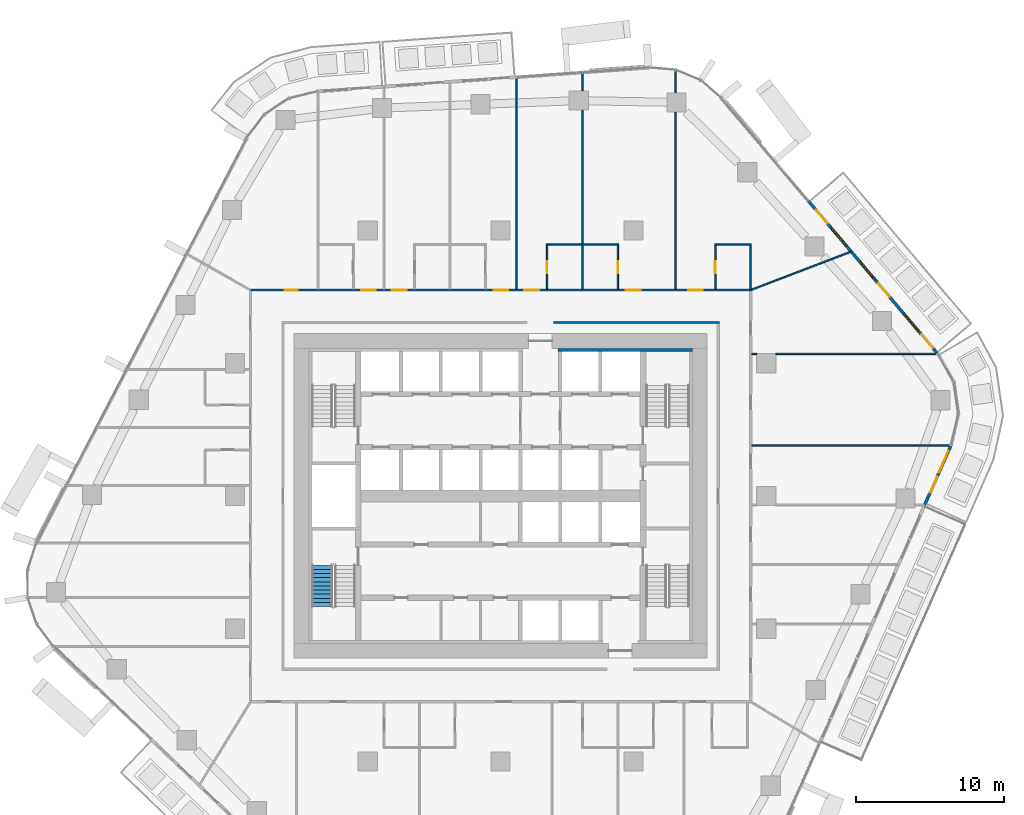
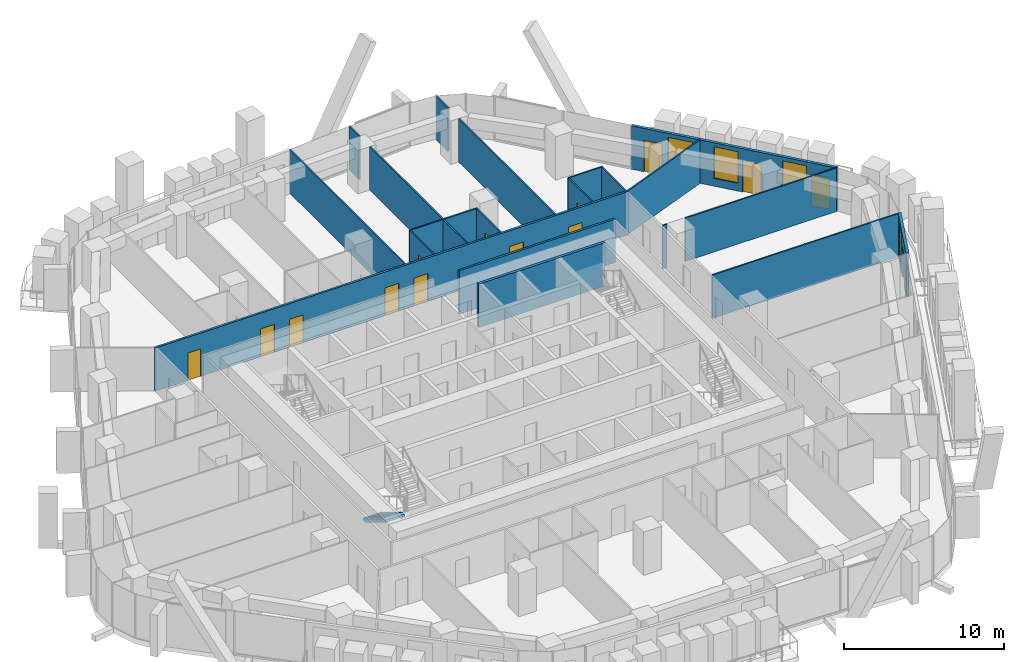
# One storey, part 17 of 24: 21 walls, 14 doors, 4 windows, 1 stair flight, 18 openings, 1 element without a shape of its own.
"""IFC4 building model written with IfcOpenShell, lengths in metres."""

from ifc_helpers import new_model, si_unit, direction, frame, frame_2d, origin, place, context, subcontext, project, spatial, polyline, rectangle, outline, extrude, material, layer, layer_set, type_object, element, fill, aggregate, save


model = new_model("IFC4")

# Units and contexts
model_context = context("Model", 3, precision=1e-05, world=origin(), true_north=direction((0.0, 1.0)))
body_context = subcontext(model_context, "Body", "Model", "MODEL_VIEW")
ifc_project = project(units=[si_unit("LENGTHUNIT", "METRE"), si_unit("AREAUNIT", "SQUARE_METRE"), si_unit("VOLUMEUNIT", "CUBIC_METRE"), si_unit("PLANEANGLEUNIT", "RADIAN"), si_unit("MASSUNIT", "GRAM", prefix="KILO")], contexts=[model_context])

# Site, building, storey
site_placement = place(None, origin())
site = spatial("IfcSite", under=ifc_project, at=site_placement, CompositionType="ELEMENT")
building_placement = place(site_placement, origin())
building = spatial("IfcBuilding", under=site, at=building_placement, Name="Dongbaek Canopy Tower", CompositionType="ELEMENT")
storey_placement = place(building_placement, frame((0.0, 0.0, 113.699951171875)))
storey = spatial("IfcBuildingStorey", under=building, at=storey_placement, Name="L24", CompositionType="ELEMENT", Elevation=113.699951171875)

# Walls
ifc_material_1 = material(Name="Concrete C60/75", Category="concrete")
ifc_layer_1 = layer(ifc_material_1, 0.199951171875)
ifc_layer_set_1 = layer_set([ifc_layer_1], Name="Core wall lining 200 Concrete C60/75")
wall_type_1 = type_object("IfcWallType", Name="Core wall lining 200 Concrete C60/75", PredefinedType="SHEAR", material=ifc_layer_set_1)
wall_1_placement = place(storey_placement, frame((3.89990234375, 9.89990234375, 0.0), z_axis=(0.0, 0.0, 1.0), x_axis=(1.0, 0.0, 0.0)))
element("IfcWall", 1, at=wall_1_placement, inside=storey, type_object=wall_type_1, Name="Core wall lining", PredefinedType="SHEAR", context=body_context, shape_type="SweptSolid", body=[
    extrude(rectangle(XDim=9.10009765625, YDim=0.199951171875, at=frame_2d((4.550048828125, 0.0))), origin(), (0.0, 0.0, 1.0), 3.300048828125),
])
ifc_material_2 = material(Name="Gypsum board partition, steel stud, 2 x 15 mm fire board", Category="steel")
ifc_layer_2 = layer(ifc_material_2, 0.14990234375)
ifc_layer_set_2 = layer_set([ifc_layer_2], Name="Fire-rated partition 150 gypsum board")
wall_type_2 = type_object("IfcWallType", Name="Fire-rated partition 150 gypsum board", PredefinedType="PARTITIONING", material=ifc_layer_set_2)
wall_2_placement = place(storey_placement, frame((3.60009765625, 11.75, 0.0), z_axis=(0.0, 0.0, 1.0), x_axis=(1.0, 0.0, 0.0)))
element("IfcWall", 2, at=wall_2_placement, inside=storey, type_object=wall_type_2, Name="Corridor partition", PredefinedType="PARTITIONING", context=body_context, shape_type="SweptSolid", body=[
    extrude(rectangle(XDim=11.224853515625, YDim=0.14990234375, at=frame_2d((5.6123046875, 0.0))), origin(), (0.0, 0.0, 1.0), 3.300048828125),
])

# Wall, openings, doors
wall_3_placement = place(storey_placement, frame((-17.02490234375, 13.949951171875, 0.0), z_axis=(0.0, 0.0, 1.0), x_axis=(1.0, 0.0, 0.0)))
wall_3 = element("IfcWall", 3, at=wall_3_placement, inside=storey, type_object=wall_type_2, Name="Corridor partition", PredefinedType="PARTITIONING", context=body_context, shape_type="SweptSolid", body=[
    extrude(rectangle(XDim=34.0498046875, YDim=0.14990234375, at=frame_2d((17.02490234375, 0.0))), origin(), (0.0, 0.0, 1.0), 3.300048828125),
])
opening_1_placement = place(wall_3_placement, frame((29.73486328125, 0.0, 0.0)))
opening_1 = element("IfcOpeningElement", 4, at=opening_1_placement, cuts=wall_3, Name="Opening L24-D022", PredefinedType="OPENING", context=body_context, shape_type="SweptSolid", body=[
    extrude(rectangle(XDim=1.0, YDim=2.10009765625, at=frame_2d((0.5, 1.050048828125))), frame((0.0, 0.0849609375, 0.0), z_axis=(0.0, -1.0, 0.0), x_axis=(1.0, 0.0, 0.0)), (0.0, 0.0, 1.0), 0.169921875),
])
opening_2_placement = place(wall_3_placement, frame((25.51318359375, 0.0, 0.0)))
opening_2 = element("IfcOpeningElement", 5, at=opening_2_placement, cuts=wall_3, Name="Opening L24-D024", PredefinedType="OPENING", context=body_context, shape_type="SweptSolid", body=[
    extrude(rectangle(XDim=1.0, YDim=2.10009765625, at=frame_2d((0.5, 1.050048828125))), frame((0.0, 0.0849609375, 0.0), z_axis=(0.0, -1.0, 0.0), x_axis=(1.0, 0.0, 0.0)), (0.0, 0.0, 1.0), 0.169921875),
])
opening_3_placement = place(wall_3_placement, frame((18.631103515625, 0.0, 0.0)))
opening_3 = element("IfcOpeningElement", 6, at=opening_3_placement, cuts=wall_3, Name="Opening L24-D026", PredefinedType="OPENING", context=body_context, shape_type="SweptSolid", body=[
    extrude(rectangle(XDim=1.0, YDim=2.10009765625, at=frame_2d((0.5, 1.050048828125))), frame((0.0, 0.0849609375, 0.0), z_axis=(0.0, -1.0, 0.0), x_axis=(1.0, 0.0, 0.0)), (0.0, 0.0, 1.0), 0.169921875),
])
opening_4_placement = place(wall_3_placement, frame((16.544921875, 0.0, 0.0)))
opening_4 = element("IfcOpeningElement", 7, at=opening_4_placement, cuts=wall_3, Name="Opening L24-D028", PredefinedType="OPENING", context=body_context, shape_type="SweptSolid", body=[
    extrude(rectangle(XDim=1.0, YDim=2.10009765625, at=frame_2d((0.5, 1.050048828125))), frame((0.0, 0.0849609375, 0.0), z_axis=(0.0, -1.0, 0.0), x_axis=(1.0, 0.0, 0.0)), (0.0, 0.0, 1.0), 0.169921875),
])
opening_5_placement = place(wall_3_placement, frame((9.65869140625, 0.0, 0.0)))
opening_5 = element("IfcOpeningElement", 8, at=opening_5_placement, cuts=wall_3, Name="Opening L24-D030", PredefinedType="OPENING", context=body_context, shape_type="SweptSolid", body=[
    extrude(rectangle(XDim=1.0, YDim=2.10009765625, at=frame_2d((0.5, 1.050048828125))), frame((0.0, 0.0849609375, 0.0), z_axis=(0.0, -1.0, 0.0), x_axis=(1.0, 0.0, 0.0)), (0.0, 0.0, 1.0), 0.169921875),
])
opening_6_placement = place(wall_3_placement, frame((7.576904296875, 0.0, 0.0)))
opening_6 = element("IfcOpeningElement", 9, at=opening_6_placement, cuts=wall_3, Name="Opening L24-D032", PredefinedType="OPENING", context=body_context, shape_type="SweptSolid", body=[
    extrude(rectangle(XDim=1.0, YDim=2.10009765625, at=frame_2d((0.5, 1.050048828125))), frame((0.0, 0.0849609375, 0.0), z_axis=(0.0, -1.0, 0.0), x_axis=(1.0, 0.0, 0.0)), (0.0, 0.0, 1.0), 0.169921875),
])
opening_7_placement = place(wall_3_placement, frame((2.38134765625, 0.0, 0.0)))
opening_7 = element("IfcOpeningElement", 10, at=opening_7_placement, cuts=wall_3, Name="Opening L24-D033", PredefinedType="OPENING", context=body_context, shape_type="SweptSolid", body=[
    extrude(rectangle(XDim=0.89990234375, YDim=2.10009765625, at=frame_2d((0.449951171875, 1.050048828125))), frame((0.0, 0.0849609375, 0.0), z_axis=(0.0, -1.0, 0.0), x_axis=(1.0, 0.0, 0.0)), (0.0, 0.0, 1.0), 0.169921875),
])
ifc_material_3 = material(Name="Timber veneered door leaf", Category="wood")
door_type_1 = type_object("IfcDoorType", Name="Guest room door 1000 x 2100", OperationType="SINGLE_SWING_LEFT", PredefinedType="DOOR", material=ifc_material_3)
door_1_placement = place(opening_1_placement, origin())
door_1 = element("IfcDoor", 11, at=door_1_placement, inside=storey, type_object=door_type_1, Name="Door L24-D022", OperationType="SINGLE_SWING_RIGHT", OverallHeight=2.10009765625, OverallWidth=1.0, PredefinedType="DOOR", context=body_context, shape_type="SweptSolid", body=[
    extrude(rectangle(XDim=1.0, YDim=2.10009765625, at=frame_2d((0.5, 1.050048828125))), frame((0.0, 0.02490234375, 0.0), z_axis=(0.0, -1.0, 0.0), x_axis=(1.0, 0.0, 0.0)), (0.0, 0.0, 1.0), 0.050048828125),
])
fill(opening_1, door_1)
door_2_placement = place(opening_2_placement, origin())
door_2 = element("IfcDoor", 12, at=door_2_placement, inside=storey, type_object=door_type_1, Name="Door L24-D024", OperationType="SINGLE_SWING_LEFT", OverallHeight=2.10009765625, OverallWidth=1.0, PredefinedType="DOOR", context=body_context, shape_type="SweptSolid", body=[
    extrude(rectangle(XDim=1.0, YDim=2.10009765625, at=frame_2d((0.5, 1.050048828125))), frame((0.0, 0.02490234375, 0.0), z_axis=(0.0, -1.0, 0.0), x_axis=(1.0, 0.0, 0.0)), (0.0, 0.0, 1.0), 0.050048828125),
])
fill(opening_2, door_2)
door_3_placement = place(opening_3_placement, origin())
door_3 = element("IfcDoor", 13, at=door_3_placement, inside=storey, type_object=door_type_1, Name="Door L24-D026", OperationType="SINGLE_SWING_RIGHT", OverallHeight=2.10009765625, OverallWidth=1.0, PredefinedType="DOOR", context=body_context, shape_type="SweptSolid", body=[
    extrude(rectangle(XDim=1.0, YDim=2.10009765625, at=frame_2d((0.5, 1.050048828125))), frame((0.0, 0.02490234375, 0.0), z_axis=(0.0, -1.0, 0.0), x_axis=(1.0, 0.0, 0.0)), (0.0, 0.0, 1.0), 0.050048828125),
])
fill(opening_3, door_3)
door_4_placement = place(opening_4_placement, origin())
door_4 = element("IfcDoor", 14, at=door_4_placement, inside=storey, type_object=door_type_1, Name="Door L24-D028", OperationType="SINGLE_SWING_LEFT", OverallHeight=2.10009765625, OverallWidth=1.0, PredefinedType="DOOR", context=body_context, shape_type="SweptSolid", body=[
    extrude(rectangle(XDim=1.0, YDim=2.10009765625, at=frame_2d((0.5, 1.050048828125))), frame((0.0, 0.02490234375, 0.0), z_axis=(0.0, -1.0, 0.0), x_axis=(1.0, 0.0, 0.0)), (0.0, 0.0, 1.0), 0.050048828125),
])
fill(opening_4, door_4)
door_5_placement = place(opening_5_placement, origin())
door_5 = element("IfcDoor", 15, at=door_5_placement, inside=storey, type_object=door_type_1, Name="Door L24-D030", OperationType="SINGLE_SWING_RIGHT", OverallHeight=2.10009765625, OverallWidth=1.0, PredefinedType="DOOR", context=body_context, shape_type="SweptSolid", body=[
    extrude(rectangle(XDim=1.0, YDim=2.10009765625, at=frame_2d((0.5, 1.050048828125))), frame((0.0, 0.02490234375, 0.0), z_axis=(0.0, -1.0, 0.0), x_axis=(1.0, 0.0, 0.0)), (0.0, 0.0, 1.0), 0.050048828125),
])
fill(opening_5, door_5)
door_6_placement = place(opening_6_placement, origin())
door_6 = element("IfcDoor", 16, at=door_6_placement, inside=storey, type_object=door_type_1, Name="Door L24-D032", OperationType="SINGLE_SWING_LEFT", OverallHeight=2.10009765625, OverallWidth=1.0, PredefinedType="DOOR", context=body_context, shape_type="SweptSolid", body=[
    extrude(rectangle(XDim=1.0, YDim=2.10009765625, at=frame_2d((0.5, 1.050048828125))), frame((0.0, 0.02490234375, 0.0), z_axis=(0.0, -1.0, 0.0), x_axis=(1.0, 0.0, 0.0)), (0.0, 0.0, 1.0), 0.050048828125),
])
fill(opening_6, door_6)
ifc_material_4 = material(Name="Timber veneered door leaf", Category="wood")
door_type_2 = type_object("IfcDoorType", Name="Room door 900 x 2100", OperationType="SINGLE_SWING_LEFT", PredefinedType="DOOR", material=ifc_material_4)
door_7_placement = place(opening_7_placement, origin())
door_7 = element("IfcDoor", 17, at=door_7_placement, inside=storey, type_object=door_type_2, Name="Door L24-D033", OperationType="SINGLE_SWING_RIGHT", OverallHeight=2.10009765625, OverallWidth=0.89990234375, PredefinedType="DOOR", context=body_context, shape_type="SweptSolid", body=[
    extrude(rectangle(XDim=0.89990234375, YDim=2.10009765625, at=frame_2d((0.449951171875, 1.050048828125))), frame((0.0, 0.02490234375, 0.0), z_axis=(0.0, -1.0, 0.0), x_axis=(1.0, 0.0, 0.0)), (0.0, 0.0, 1.0), 0.050048828125),
])
fill(opening_7, door_7)

# Walls
ifc_material_5 = material(Name="Gypsum board partition, steel stud, 2 x 12.5 mm board", Category="steel")
ifc_layer_3 = layer(ifc_material_5, 0.10009765625)
ifc_layer_set_3 = layer_set([ifc_layer_3], Name="Partition 100 gypsum board")
wall_type_3 = type_object("IfcWallType", Name="Partition 100 gypsum board", PredefinedType="PARTITIONING", material=ifc_layer_set_3)
wall_4_placement = place(storey_placement, frame((17.02490234375, 3.428955078125, 0.0), z_axis=(0.0, 0.0, 1.0), x_axis=(1.0, 0.0, 0.0)))
element("IfcWall", 18, at=wall_4_placement, inside=storey, type_object=wall_type_3, Name="Partition", PredefinedType="PARTITIONING", context=body_context, shape_type="SweptSolid", body=[
    extrude(rectangle(XDim=13.477294921875, YDim=0.10009765625, at=frame_2d((6.73876953125, 0.0))), origin(), (0.0, 0.0, 1.0), 3.300048828125),
])
wall_5_placement = place(storey_placement, frame((17.02490234375, 9.635986328125, 0.0), z_axis=(0.0, 0.0, 1.0), x_axis=(1.0, 0.0, 0.0)))
element("IfcWall", 19, at=wall_5_placement, inside=storey, type_object=wall_type_3, Name="Partition", PredefinedType="PARTITIONING", context=body_context, shape_type="SweptSolid", body=[
    extrude(rectangle(XDim=0.3251953125, YDim=0.10009765625, at=frame_2d((0.16259765625, 0.0))), origin(), (0.0, 0.0, 1.0), 3.300048828125),
])
wall_6_placement = place(storey_placement, frame((18.64990234375, 9.635986328125, 0.0), z_axis=(0.0, 0.0, 1.0), x_axis=(1.0, 0.0, 0.0)))
element("IfcWall", 20, at=wall_6_placement, inside=storey, type_object=wall_type_3, Name="Partition", PredefinedType="PARTITIONING", context=body_context, shape_type="SweptSolid", body=[
    extrude(rectangle(XDim=10.9501953125, YDim=0.10009765625, at=frame_2d((5.47509765625, 0.0))), origin(), (0.0, 0.0, 1.0), 3.300048828125),
])
wall_7_placement = place(storey_placement, frame((3.09912109375, 17.050048828125, 0.0), z_axis=(0.0, 0.0, 1.0), x_axis=(1.0, 0.0, 0.0)))
element("IfcWall", 21, at=wall_7_placement, inside=storey, type_object=wall_type_3, Name="Partition", PredefinedType="PARTITIONING", context=body_context, shape_type="SweptSolid", body=[
    extrude(rectangle(XDim=4.89990234375, YDim=0.10009765625, at=frame_2d((2.449951171875, 0.0))), origin(), (0.0, 0.0, 1.0), 3.300048828125),
])
wall_8_placement = place(storey_placement, frame((14.5, 17.050048828125, 0.0), z_axis=(0.0, 0.0, 1.0), x_axis=(1.0, 0.0, 0.0)))
element("IfcWall", 22, at=wall_8_placement, inside=storey, type_object=wall_type_3, Name="Partition", PredefinedType="PARTITIONING", context=body_context, shape_type="SweptSolid", body=[
    extrude(rectangle(XDim=2.5, YDim=0.10009765625, at=frame_2d((1.25, 0.0))), origin(), (0.0, 0.0, 1.0), 3.300048828125),
])
wall_9_placement = place(storey_placement, frame((16.949951171875, 13.9501953125, 0.0), z_axis=(0.0, 0.0, 1.0), x_axis=(0.933635037811, 0.358225649796, 0.0)))
element("IfcWall", 23, at=wall_9_placement, inside=storey, type_object=wall_type_3, Name="Partition", PredefinedType="PARTITIONING", context=body_context, shape_type="SweptSolid", body=[
    extrude(rectangle(XDim=7.275390625, YDim=0.10009765625, at=frame_2d((3.6376953125, 0.0))), origin(), (0.0, 0.0, 1.0), 3.300048828125),
])
wall_10_placement = place(storey_placement, frame((16.949951171875, 14.02490234375, 0.0), z_axis=(0.0, 0.0, 1.0), x_axis=(0.0, 1.0, 0.0)))
element("IfcWall", 24, at=wall_10_placement, inside=storey, type_object=wall_type_3, Name="Partition", PredefinedType="PARTITIONING", context=body_context, shape_type="SweptSolid", body=[
    extrude(rectangle(XDim=2.97509765625, YDim=0.10009765625, at=frame_2d((1.487548828125, 0.0))), origin(), (0.0, 0.0, 1.0), 3.300048828125),
])

# Wall, opening, door
wall_11_placement = place(storey_placement, frame((14.550048828125, 17.0, 0.0), z_axis=(0.0, 0.0, 1.0), x_axis=(0.0, -1.0, 0.0)))
wall_11 = element("IfcWall", 25, at=wall_11_placement, inside=storey, type_object=wall_type_3, Name="Partition", PredefinedType="PARTITIONING", context=body_context, shape_type="SweptSolid", body=[
    extrude(rectangle(XDim=2.97509765625, YDim=0.10009765625, at=frame_2d((1.487548828125, 0.0))), origin(), (0.0, 0.0, 1.0), 3.300048828125),
])
opening_8_placement = place(wall_11_placement, frame((1.10009765625, 0.0, 0.0)))
opening_8 = element("IfcOpeningElement", 26, at=opening_8_placement, cuts=wall_11, Name="Opening L24-D021", PredefinedType="OPENING", context=body_context, shape_type="SweptSolid", body=[
    extrude(rectangle(XDim=0.800048828125, YDim=2.10009765625, at=frame_2d((0.39990234375, 1.050048828125))), frame((0.0, 0.06005859375, 0.0), z_axis=(0.0, -1.0, 0.0), x_axis=(1.0, 0.0, 0.0)), (0.0, 0.0, 1.0), 0.1201171875),
])
ifc_material_6 = material(Name="Timber veneered door leaf", Category="wood")
door_type_3 = type_object("IfcDoorType", Name="En-suite door 800 x 2100", OperationType="SINGLE_SWING_LEFT", PredefinedType="DOOR", material=ifc_material_6)
door_8_placement = place(opening_8_placement, origin())
door_8 = element("IfcDoor", 27, at=door_8_placement, inside=storey, type_object=door_type_3, Name="Door L24-D021", OperationType="SINGLE_SWING_LEFT", OverallHeight=2.10009765625, OverallWidth=0.800048828125, PredefinedType="DOOR", context=body_context, shape_type="SweptSolid", body=[
    extrude(rectangle(XDim=0.800048828125, YDim=2.10009765625, at=frame_2d((0.39990234375, 1.050048828125))), frame((0.0, 0.02490234375, 0.0), z_axis=(0.0, -1.0, 0.0), x_axis=(1.0, 0.0, 0.0)), (0.0, 0.0, 1.0), 0.050048828125),
])
fill(opening_8, door_8)

# Walls
wall_12_placement = place(storey_placement, frame((11.8701171875, 14.02490234375, 0.0), z_axis=(0.0, 0.0, 1.0), x_axis=(0.0, 1.0, 0.0)))
element("IfcWall", 28, at=wall_12_placement, inside=storey, type_object=wall_type_3, Name="Partition", PredefinedType="PARTITIONING", context=body_context, shape_type="SweptSolid", body=[
    extrude(rectangle(XDim=11.9990234375, YDim=0.10009765625, at=frame_2d((5.99951171875, 0.0))), origin(), (0.0, 0.0, 1.0), 3.300048828125),
])
wall_13_placement = place(storey_placement, frame((11.8701171875, 27.323974609375, 0.0), z_axis=(0.0, 0.0, 1.0), x_axis=(0.0, 1.0, 0.0)))
element("IfcWall", 29, at=wall_13_placement, inside=storey, type_object=wall_type_3, Name="Partition", PredefinedType="PARTITIONING", context=body_context, shape_type="SweptSolid", body=[
    extrude(rectangle(XDim=1.53125, YDim=0.10009765625, at=frame_2d((0.765625, 0.0))), origin(), (0.0, 0.0, 1.0), 3.300048828125),
])

# Wall, opening, door
wall_14_placement = place(storey_placement, frame((7.948974609375, 14.02490234375, 0.0), z_axis=(0.0, 0.0, 1.0), x_axis=(0.0, 1.0, 0.0)))
wall_14 = element("IfcWall", 30, at=wall_14_placement, inside=storey, type_object=wall_type_3, Name="Partition", PredefinedType="PARTITIONING", context=body_context, shape_type="SweptSolid", body=[
    extrude(rectangle(XDim=2.97509765625, YDim=0.10009765625, at=frame_2d((1.487548828125, 0.0))), origin(), (0.0, 0.0, 1.0), 3.300048828125),
])
opening_9_placement = place(wall_14_placement, frame((1.074951171875, 0.0, 0.0)))
opening_9 = element("IfcOpeningElement", 31, at=opening_9_placement, cuts=wall_14, Name="Opening L24-D023", PredefinedType="OPENING", context=body_context, shape_type="SweptSolid", body=[
    extrude(rectangle(XDim=0.800048828125, YDim=2.10009765625, at=frame_2d((0.39990234375, 1.050048828125))), frame((0.0, 0.06005859375, 0.0), z_axis=(0.0, -1.0, 0.0), x_axis=(1.0, 0.0, 0.0)), (0.0, 0.0, 1.0), 0.1201171875),
])
door_9_placement = place(opening_9_placement, origin())
door_9 = element("IfcDoor", 32, at=door_9_placement, inside=storey, type_object=door_type_3, Name="Door L24-D023", OperationType="SINGLE_SWING_RIGHT", OverallHeight=2.10009765625, OverallWidth=0.800048828125, PredefinedType="DOOR", context=body_context, shape_type="SweptSolid", body=[
    extrude(rectangle(XDim=0.800048828125, YDim=2.10009765625, at=frame_2d((0.39990234375, 1.050048828125))), frame((0.0, 0.02490234375, 0.0), z_axis=(0.0, -1.0, 0.0), x_axis=(1.0, 0.0, 0.0)), (0.0, 0.0, 1.0), 0.050048828125),
])
fill(opening_9, door_9)

# Walls
wall_15_placement = place(storey_placement, frame((5.549072265625, 14.02490234375, 0.0), z_axis=(0.0, 0.0, 1.0), x_axis=(0.0, 1.0, 0.0)))
element("IfcWall", 33, at=wall_15_placement, inside=storey, type_object=wall_type_3, Name="Partition", PredefinedType="PARTITIONING", context=body_context, shape_type="SweptSolid", body=[
    extrude(rectangle(XDim=2.97509765625, YDim=0.10009765625, at=frame_2d((1.487548828125, 0.0))), origin(), (0.0, 0.0, 1.0), 3.300048828125),
])
wall_16_placement = place(storey_placement, frame((5.549072265625, 17.10009765625, 0.0), z_axis=(0.0, 0.0, 1.0), x_axis=(0.0, 1.0, 0.0)))
element("IfcWall", 34, at=wall_16_placement, inside=storey, type_object=wall_type_3, Name="Partition", PredefinedType="PARTITIONING", context=body_context, shape_type="SweptSolid", body=[
    extrude(rectangle(XDim=9.0478515625, YDim=0.10009765625, at=frame_2d((4.52392578125, 0.0))), origin(), (0.0, 0.0, 1.0), 3.300048828125),
])
wall_17_placement = place(storey_placement, frame((5.549072265625, 27.447998046875, 0.0), z_axis=(0.0, 0.0, 1.0), x_axis=(0.0, 1.0, 0.0)))
element("IfcWall", 35, at=wall_17_placement, inside=storey, type_object=wall_type_3, Name="Partition", PredefinedType="PARTITIONING", context=body_context, shape_type="SweptSolid", body=[
    extrude(rectangle(XDim=1.243408203125, YDim=0.10009765625, at=frame_2d((0.62158203125, 0.0))), origin(), (0.0, 0.0, 1.0), 3.300048828125),
])

# Wall, opening, door
wall_18_placement = place(storey_placement, frame((3.14892578125, 17.050048828125, 0.0), z_axis=(0.0, 0.0, 1.0), x_axis=(0.0, -1.0, 0.0)))
wall_18 = element("IfcWall", 36, at=wall_18_placement, inside=storey, type_object=wall_type_3, Name="Partition", PredefinedType="PARTITIONING", context=body_context, shape_type="SweptSolid", body=[
    extrude(rectangle(XDim=3.025146484375, YDim=0.10009765625, at=frame_2d((1.5126953125, 0.0))), origin(), (0.0, 0.0, 1.0), 3.300048828125),
])
opening_10_placement = place(wall_18_placement, frame((1.14990234375, 0.0, 0.0)))
opening_10 = element("IfcOpeningElement", 37, at=opening_10_placement, cuts=wall_18, Name="Opening L24-D025", PredefinedType="OPENING", context=body_context, shape_type="SweptSolid", body=[
    extrude(rectangle(XDim=0.800048828125, YDim=2.10009765625, at=frame_2d((0.39990234375, 1.050048828125))), frame((0.0, 0.06005859375, 0.0), z_axis=(0.0, -1.0, 0.0), x_axis=(1.0, 0.0, 0.0)), (0.0, 0.0, 1.0), 0.1201171875),
])
door_10_placement = place(opening_10_placement, origin())
door_10 = element("IfcDoor", 38, at=door_10_placement, inside=storey, type_object=door_type_3, Name="Door L24-D025", OperationType="SINGLE_SWING_LEFT", OverallHeight=2.10009765625, OverallWidth=0.800048828125, PredefinedType="DOOR", context=body_context, shape_type="SweptSolid", body=[
    extrude(rectangle(XDim=0.800048828125, YDim=2.10009765625, at=frame_2d((0.39990234375, 1.050048828125))), frame((0.0, 0.02490234375, 0.0), z_axis=(0.0, -1.0, 0.0), x_axis=(1.0, 0.0, 0.0)), (0.0, 0.0, 1.0), 0.050048828125),
])
fill(opening_10, door_10)

# Wall
wall_19_placement = place(storey_placement, frame((1.06298828125, 14.02490234375, 0.0), z_axis=(0.0, 0.0, 1.0), x_axis=(0.0, 1.0, 0.0)))
element("IfcWall", 39, at=wall_19_placement, inside=storey, type_object=wall_type_3, Name="Partition", PredefinedType="PARTITIONING", context=body_context, shape_type="SweptSolid", body=[
    extrude(rectangle(XDim=14.343994140625, YDim=0.10009765625, at=frame_2d((7.171875, 0.0))), origin(), (0.0, 0.0, 1.0), 3.300048828125),
])

# Wall, openings, doors, windows
ifc_material_7 = material(Name="Aluminium window wall", Category="aluminium")
ifc_layer_4 = layer(ifc_material_7, 0.199951171875)
ifc_layer_set_4 = layer_set([ifc_layer_4], Name="Window wall 200")
wall_type_4 = type_object("IfcWallType", Name="Window wall 200", PredefinedType="SOLIDWALL", material=ifc_layer_set_4)
wall_20_placement = place(storey_placement, frame((29.626220703125, 9.6357421875, 0.0), z_axis=(0.0, 0.0, 1.0), x_axis=(-0.6460547702, 0.763291054514, 0.0)))
wall_20 = element("IfcWall", 40, at=wall_20_placement, inside=storey, type_object=wall_type_4, Name="Window wall L24 1", PredefinedType="SOLIDWALL", context=body_context, shape_type="SweptSolid", body=[
    extrude(rectangle(XDim=13.615234375, YDim=0.199951171875, at=frame_2d((6.8076171875, 0.0))), origin(), (0.0, 0.0, 1.0), 3.300048828125),
])
opening_11_placement = place(wall_20_placement, frame((2.0, 0.0, 0.60009765625)))
opening_11 = element("IfcOpeningElement", 41, at=opening_11_placement, cuts=wall_20, Name="Opening W1", PredefinedType="OPENING", context=body_context, shape_type="SweptSolid", body=[
    extrude(rectangle(XDim=1.60009765625, YDim=2.39990234375, at=frame_2d((0.800048828125, 1.199951171875))), frame((0.0, 0.10986328125, 0.0), z_axis=(0.0, -1.0, 0.0), x_axis=(1.0, 0.0, 0.0)), (0.0, 0.0, 1.0), 0.219970703125),
])
opening_12_placement = place(wall_20_placement, frame((0.5, 0.0, 0.0)))
opening_12 = element("IfcOpeningElement", 42, at=opening_12_placement, cuts=wall_20, Name="Opening L24-B01", PredefinedType="OPENING", context=body_context, shape_type="SweptSolid", body=[
    extrude(rectangle(XDim=1.199951171875, YDim=2.39990234375, at=frame_2d((0.60009765625, 1.199951171875))), frame((0.0, 0.10986328125, 0.0), z_axis=(0.0, -1.0, 0.0), x_axis=(1.0, 0.0, 0.0)), (0.0, 0.0, 1.0), 0.219970703125),
])
opening_13_placement = place(wall_20_placement, frame((6.538330078125, 0.0, 0.60009765625)))
opening_13 = element("IfcOpeningElement", 43, at=opening_13_placement, cuts=wall_20, Name="Opening W1", PredefinedType="OPENING", context=body_context, shape_type="SweptSolid", body=[
    extrude(rectangle(XDim=1.60009765625, YDim=2.39990234375, at=frame_2d((0.800048828125, 1.199951171875))), frame((0.0, 0.10986328125, 0.0), z_axis=(0.0, -1.0, 0.0), x_axis=(1.0, 0.0, 0.0)), (0.0, 0.0, 1.0), 0.219970703125),
])
opening_14_placement = place(wall_20_placement, frame((5.038330078125, 0.0, 0.0)))
opening_14 = element("IfcOpeningElement", 44, at=opening_14_placement, cuts=wall_20, Name="Opening L24-B02", PredefinedType="OPENING", context=body_context, shape_type="SweptSolid", body=[
    extrude(rectangle(XDim=1.199951171875, YDim=2.39990234375, at=frame_2d((0.60009765625, 1.199951171875))), frame((0.0, 0.10986328125, 0.0), z_axis=(0.0, -1.0, 0.0), x_axis=(1.0, 0.0, 0.0)), (0.0, 0.0, 1.0), 0.219970703125),
])
opening_15_placement = place(wall_20_placement, frame((9.576904296875, 0.0, 0.60009765625)))
opening_15 = element("IfcOpeningElement", 45, at=opening_15_placement, cuts=wall_20, Name="Opening W1", PredefinedType="OPENING", context=body_context, shape_type="SweptSolid", body=[
    extrude(rectangle(XDim=1.60009765625, YDim=2.39990234375, at=frame_2d((0.800048828125, 1.199951171875))), frame((0.0, 0.10986328125, 0.0), z_axis=(0.0, -1.0, 0.0), x_axis=(1.0, 0.0, 0.0)), (0.0, 0.0, 1.0), 0.219970703125),
])
opening_16_placement = place(wall_20_placement, frame((11.576904296875, 0.0, 0.0)))
opening_16 = element("IfcOpeningElement", 46, at=opening_16_placement, cuts=wall_20, Name="Opening L24-B03", PredefinedType="OPENING", context=body_context, shape_type="SweptSolid", body=[
    extrude(rectangle(XDim=1.199951171875, YDim=2.39990234375, at=frame_2d((0.60009765625, 1.199951171875))), frame((0.0, 0.10986328125, 0.0), z_axis=(0.0, -1.0, 0.0), x_axis=(1.0, 0.0, 0.0)), (0.0, 0.0, 1.0), 0.219970703125),
])
ifc_material_8 = material(Name="Clear glazing in aluminium frame", Category="aluminium")
door_type_4 = type_object("IfcDoorType", Name="Balcony door BD1 1200 x 2400", OperationType="SLIDING_TO_LEFT", PredefinedType="DOOR", material=ifc_material_8)
door_11_placement = place(opening_12_placement, origin())
door_11 = element("IfcDoor", 47, at=door_11_placement, inside=storey, type_object=door_type_4, Name="Balcony door L24-B01", OperationType="SLIDING_TO_LEFT", OverallHeight=2.39990234375, OverallWidth=1.199951171875, PredefinedType="DOOR", context=body_context, shape_type="SweptSolid", body=[
    extrude(rectangle(XDim=1.199951171875, YDim=2.39990234375, at=frame_2d((0.60009765625, 1.199951171875))), frame((0.0, 0.02490234375, 0.0), z_axis=(0.0, -1.0, 0.0), x_axis=(1.0, 0.0, 0.0)), (0.0, 0.0, 1.0), 0.050048828125),
])
fill(opening_12, door_11)
door_12_placement = place(opening_14_placement, origin())
door_12 = element("IfcDoor", 48, at=door_12_placement, inside=storey, type_object=door_type_4, Name="Balcony door L24-B02", OperationType="SLIDING_TO_LEFT", OverallHeight=2.39990234375, OverallWidth=1.199951171875, PredefinedType="DOOR", context=body_context, shape_type="SweptSolid", body=[
    extrude(rectangle(XDim=1.199951171875, YDim=2.39990234375, at=frame_2d((0.60009765625, 1.199951171875))), frame((0.0, 0.02490234375, 0.0), z_axis=(0.0, -1.0, 0.0), x_axis=(1.0, 0.0, 0.0)), (0.0, 0.0, 1.0), 0.050048828125),
])
fill(opening_14, door_12)
door_13_placement = place(opening_16_placement, origin())
door_13 = element("IfcDoor", 49, at=door_13_placement, inside=storey, type_object=door_type_4, Name="Balcony door L24-B03", OperationType="SLIDING_TO_LEFT", OverallHeight=2.39990234375, OverallWidth=1.199951171875, PredefinedType="DOOR", context=body_context, shape_type="SweptSolid", body=[
    extrude(rectangle(XDim=1.199951171875, YDim=2.39990234375, at=frame_2d((0.60009765625, 1.199951171875))), frame((0.0, 0.02490234375, 0.0), z_axis=(0.0, -1.0, 0.0), x_axis=(1.0, 0.0, 0.0)), (0.0, 0.0, 1.0), 0.050048828125),
])
fill(opening_16, door_13)
ifc_material_9 = material(Name="Clear glazing in aluminium frame", Category="aluminium")
window_type = type_object("IfcWindowType", Name="Window W1 1600 x 2400", PartitioningType="SINGLE_PANEL", PredefinedType="WINDOW", material=ifc_material_9)
window_1_placement = place(opening_11_placement, origin())
window_1 = element("IfcWindow", 50, at=window_1_placement, inside=storey, type_object=window_type, Name="Window L24 1.1", OverallHeight=2.39990234375, OverallWidth=1.60009765625, PartitioningType="SINGLE_PANEL", PredefinedType="WINDOW", context=body_context, shape_type="SweptSolid", body=[
    extrude(rectangle(XDim=1.60009765625, YDim=2.39990234375, at=frame_2d((0.800048828125, 1.199951171875))), frame((0.0, 0.030029296875, 0.0), z_axis=(0.0, -1.0, 0.0), x_axis=(1.0, 0.0, 0.0)), (0.0, 0.0, 1.0), 0.06005859375),
])
fill(opening_11, window_1)
window_2_placement = place(opening_13_placement, origin())
window_2 = element("IfcWindow", 51, at=window_2_placement, inside=storey, type_object=window_type, Name="Window L24 1.2", OverallHeight=2.39990234375, OverallWidth=1.60009765625, PartitioningType="SINGLE_PANEL", PredefinedType="WINDOW", context=body_context, shape_type="SweptSolid", body=[
    extrude(rectangle(XDim=1.60009765625, YDim=2.39990234375, at=frame_2d((0.800048828125, 1.199951171875))), frame((0.0, 0.030029296875, 0.0), z_axis=(0.0, -1.0, 0.0), x_axis=(1.0, 0.0, 0.0)), (0.0, 0.0, 1.0), 0.06005859375),
])
fill(opening_13, window_2)
window_3_placement = place(opening_15_placement, origin())
window_3 = element("IfcWindow", 52, at=window_3_placement, inside=storey, type_object=window_type, Name="Window L24 1.3", OverallHeight=2.39990234375, OverallWidth=1.60009765625, PartitioningType="SINGLE_PANEL", PredefinedType="WINDOW", context=body_context, shape_type="SweptSolid", body=[
    extrude(rectangle(XDim=1.60009765625, YDim=2.39990234375, at=frame_2d((0.800048828125, 1.199951171875))), frame((0.0, 0.030029296875, 0.0), z_axis=(0.0, -1.0, 0.0), x_axis=(1.0, 0.0, 0.0)), (0.0, 0.0, 1.0), 0.06005859375),
])
fill(opening_15, window_3)

# Wall, openings, door, window
wall_21_placement = place(storey_placement, frame((28.74755859375, -0.60205078125, 0.0), z_axis=(0.0, 0.0, 1.0), x_axis=(0.403256746057, 0.91508687935, 0.0)))
wall_21 = element("IfcWall", 53, at=wall_21_placement, inside=storey, type_object=wall_type_4, Name="Window wall L24 6", PredefinedType="SOLIDWALL", context=body_context, shape_type="SweptSolid", body=[
    extrude(rectangle(XDim=4.405029296875, YDim=0.199951171875, at=frame_2d((2.20263671875, 0.0))), origin(), (0.0, 0.0, 1.0), 3.300048828125),
])
opening_17_placement = place(wall_21_placement, frame((2.39990234375, 0.0, 0.60009765625)))
opening_17 = element("IfcOpeningElement", 54, at=opening_17_placement, cuts=wall_21, Name="Opening W1", PredefinedType="OPENING", context=body_context, shape_type="SweptSolid", body=[
    extrude(rectangle(XDim=1.60009765625, YDim=2.39990234375, at=frame_2d((0.800048828125, 1.199951171875))), frame((0.0, 0.10986328125, 0.0), z_axis=(0.0, -1.0, 0.0), x_axis=(1.0, 0.0, 0.0)), (0.0, 0.0, 1.0), 0.219970703125),
])
opening_18_placement = place(wall_21_placement, frame((0.89990234375, 0.0, 0.0)))
opening_18 = element("IfcOpeningElement", 55, at=opening_18_placement, cuts=wall_21, Name="Opening L24-B17", PredefinedType="OPENING", context=body_context, shape_type="SweptSolid", body=[
    extrude(rectangle(XDim=1.199951171875, YDim=2.39990234375, at=frame_2d((0.60009765625, 1.199951171875))), frame((0.0, 0.10986328125, 0.0), z_axis=(0.0, -1.0, 0.0), x_axis=(1.0, 0.0, 0.0)), (0.0, 0.0, 1.0), 0.219970703125),
])
door_14_placement = place(opening_18_placement, origin())
door_14 = element("IfcDoor", 56, at=door_14_placement, inside=storey, type_object=door_type_4, Name="Balcony door L24-B17", OperationType="SLIDING_TO_LEFT", OverallHeight=2.39990234375, OverallWidth=1.199951171875, PredefinedType="DOOR", context=body_context, shape_type="SweptSolid", body=[
    extrude(rectangle(XDim=1.199951171875, YDim=2.39990234375, at=frame_2d((0.60009765625, 1.199951171875))), frame((0.0, 0.02490234375, 0.0), z_axis=(0.0, -1.0, 0.0), x_axis=(1.0, 0.0, 0.0)), (0.0, 0.0, 1.0), 0.050048828125),
])
fill(opening_18, door_14)
window_4_placement = place(opening_17_placement, origin())
window_4 = element("IfcWindow", 57, at=window_4_placement, inside=storey, type_object=window_type, Name="Window L24 6.1", OverallHeight=2.39990234375, OverallWidth=1.60009765625, PartitioningType="SINGLE_PANEL", PredefinedType="WINDOW", context=body_context, shape_type="SweptSolid", body=[
    extrude(rectangle(XDim=1.60009765625, YDim=2.39990234375, at=frame_2d((0.800048828125, 1.199951171875))), frame((0.0, 0.030029296875, 0.0), z_axis=(0.0, -1.0, 0.0), x_axis=(1.0, 0.0, 0.0)), (0.0, 0.0, 1.0), 0.06005859375),
])
fill(opening_17, window_4)

# Stair, stair flight
ifc_material_10 = material(Name="Concrete C40/50", Category="concrete")
stair_type = type_object("IfcStairType", Name="Core exit stair", PredefinedType="HALF_TURN_STAIR", material=ifc_material_10)
stair_placement = place(storey_placement, origin())
stair = element("IfcStair", 58, at=stair_placement, inside=storey, type_object=stair_type, Name="L24 exit stair D", PredefinedType="HALF_TURN_STAIR")
ifc_material_11 = material(Name="Concrete C40/50", Category="concrete")
ifc_layer_5 = layer(ifc_material_11, 0.14990234375)
ifc_layer_set_5 = layer_set([ifc_layer_5], Name="Core stair flight 150 waist")
stair_flight_type = type_object("IfcStairFlightType", Name="Core stair flight 150 waist", PredefinedType="STRAIGHT", material=ifc_layer_set_5)
stair_flight_placement = place(storey_placement, frame((-12.10009765625, -4.699951171875, 0.0), z_axis=(0.0, 0.0, 1.0), x_axis=(0.0, -1.0, 0.0)))
stair_flight = element("IfcStairFlight", 59, at=stair_flight_placement, type_object=stair_flight_type, Name="ST-D flight 1", NumberOfRisers=11, NumberOfTreads=10, PredefinedType="STRAIGHT", RiserHeight=0.168181818, TreadLength=0.28, context=body_context, shape_type="SweptSolid", body=[
    extrude(outline(polyline([(0.0, 0.0), (0.0, 0.168212890625), (0.280029296875, 0.168212890625), (0.280029296875, 0.33642578125), (0.56005859375, 0.33642578125), (0.56005859375, 0.504638671875), (0.840087890625, 0.504638671875), (0.840087890625, 0.672607421875), (1.1201171875, 0.672607421875), (1.1201171875, 0.8408203125), (1.39990234375, 0.8408203125), (1.39990234375, 1.009033203125), (1.679931640625, 1.009033203125), (1.679931640625, 1.17724609375), (1.9599609375, 1.17724609375), (1.9599609375, 1.345458984375), (2.239990234375, 1.345458984375), (2.239990234375, 1.513671875), (2.52001953125, 1.513671875), (2.52001953125, 1.681884765625), (2.800048828125, 1.681884765625), (2.800048828125, 1.85009765625), (2.800048828125, 1.5068359375), (0.291015625, 0.0), (0.0, 0.0)])), frame((0.0, 0.699951171875, 0.0), z_axis=(0.0, -1.0, 0.0), x_axis=(1.0, 0.0, 0.0)), (0.0, 0.0, 1.0), 1.39990234375),
])
aggregate(stair, [stair_flight])

save(model, "model.ifc")
